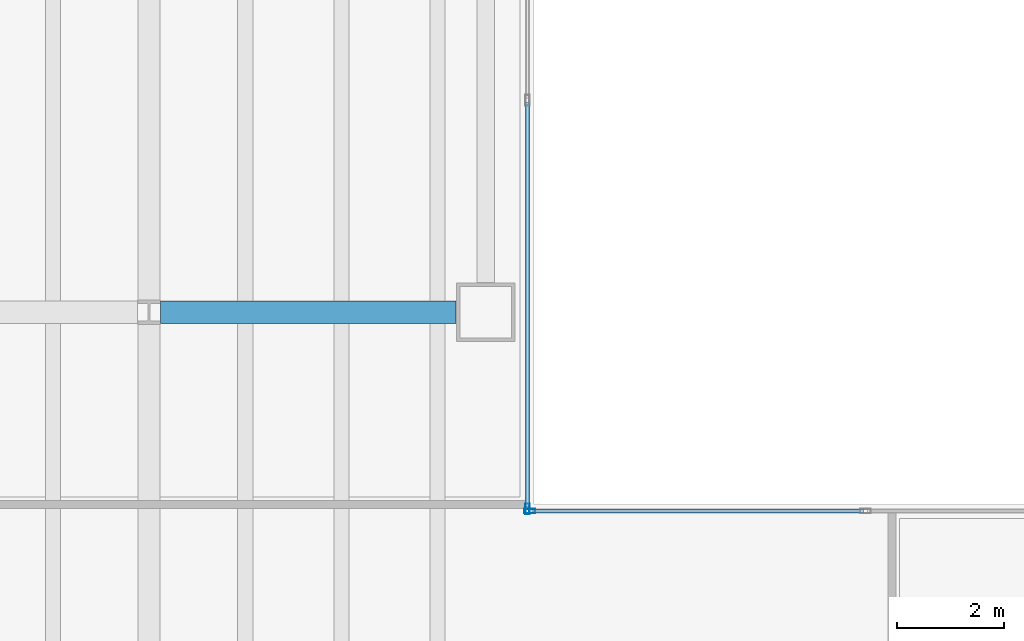
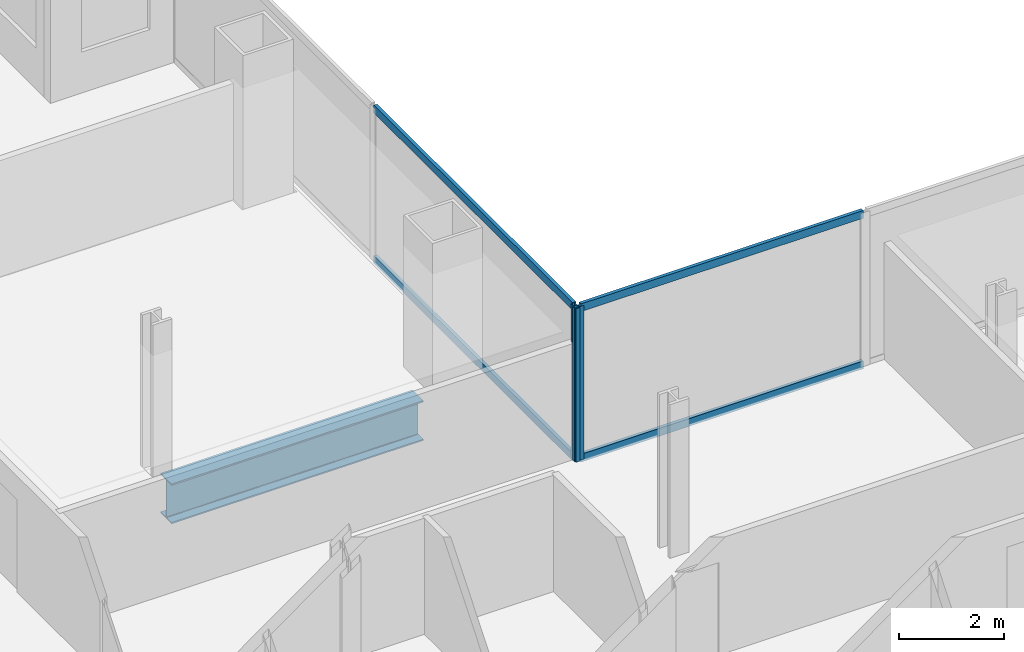
# One storey, part 6 of 25: 6 members, 1 beam, 2 elements without a shape of their own.
"""IFC4 building model written with IfcOpenShell, lengths in metres."""

from ifc_helpers import new_model, si_unit, direction, frame, origin, origin_2d, place, context, subcontext, project, spatial, hollow_rectangle, i_section, extrude, material, material_profile, profile_set, type_object, element, aggregate, save


model = new_model("IFC4")

# Units and contexts
model_context = context("Model", 3, precision=1e-05, world=origin(), true_north=direction((0.0, 1.0)))
body_context = subcontext(model_context, "Body", "Model", "MODEL_VIEW")
ifc_project = project(units=[si_unit("LENGTHUNIT", "METRE"), si_unit("AREAUNIT", "SQUARE_METRE"), si_unit("VOLUMEUNIT", "CUBIC_METRE"), si_unit("PLANEANGLEUNIT", "RADIAN"), si_unit("MASSUNIT", "GRAM", prefix="KILO")], contexts=[model_context])

# Site, building, storey
site_placement = place(None, origin())
site = spatial("IfcSite", under=ifc_project, at=site_placement, CompositionType="ELEMENT")
building_placement = place(site_placement, origin())
building = spatial("IfcBuilding", under=site, at=building_placement, Name="Cobrela Telecom Tower", CompositionType="ELEMENT")
storey_placement = place(building_placement, frame((0.0, 0.0, 42.699951171875)))
storey = spatial("IfcBuildingStorey", under=building, at=storey_placement, Name="L10", CompositionType="ELEMENT", Elevation=42.699951171875)

# Beam
ifc_material_1 = material(Name="Steel ASTM A992 Grade 50", Category="steel")
ifc_material_profile_1 = material_profile(ifc_material_1, i_section(OverallWidth=0.4189453125, OverallDepth=0.927001953125, WebThickness=0.019287109375, FlangeThickness=0.031982421875, FilletRadius=0.02392578125, at=origin_2d()), Name="W36X231")
ifc_profile_set_1 = profile_set([ifc_material_profile_1], Name="Steel ASTM A992 Grade 50")
beam_type = type_object("IfcBeamType", Name="BM-GIRD-02", PredefinedType="USERDEFINED", material=ifc_profile_set_1)
beam_placement = place(storey_placement, frame((21.81591796875, 28.800048828125, -0.743408203125), z_axis=(1.0, 0.0, 0.0), x_axis=(0.0, 1.0, 0.0)))
element("IfcBeam", 1, at=beam_placement, inside=storey, type_object=beam_type, Name="L10 Primary Girder X24", ObjectType="GIRDER", PredefinedType="USERDEFINED", context=body_context, shape_type="SweptSolid", body=[
    extrude(i_section(OverallWidth=0.4189453125, OverallDepth=0.927001953125, WebThickness=0.019287109375, FlangeThickness=0.031982421875, FilletRadius=0.02392578125, at=origin_2d()), origin(), (0.0, 0.0, 1.0), 5.529052734375),
])

# Curtain wall, member
ifc_material_2 = material(Name="Anodized Bronze Aluminium 6063-T6", Category="aluminium")
curtain_wall_type = type_object("IfcCurtainWallType", Name="CW-SYS-DATA", PredefinedType="USERDEFINED", material=ifc_material_2)
curtain_wall_1_placement = place(storey_placement, origin())
curtain_wall_1 = element("IfcCurtainWall", 2, at=curtain_wall_1_placement, inside=storey, type_object=curtain_wall_type, Name="L10 Unitised Bronze Curtain Wall 10", ObjectType="UNITISED CURTAIN WALL", PredefinedType="USERDEFINED")
ifc_material_profile_2 = material_profile(ifc_material_2, hollow_rectangle(XDim=0.080078125, YDim=0.199951171875, WallThickness=0.00390625, at=origin_2d()), Name="ALU 80x200x4")
ifc_profile_set_2 = profile_set([ifc_material_profile_2], Name="Anodized Bronze Aluminium 6063-T6")
member_type_1 = type_object("IfcMemberType", Name="CW-SYS-DATA-MUL", PredefinedType="MULLION", material=ifc_profile_set_2)
member_1_placement = place(storey_placement, frame((28.679931640625, 25.1201171875, 0.0), z_axis=(0.0, 0.0, 1.0), x_axis=(1.0, 0.0, 0.0)))
member_1 = element("IfcMember", 3, at=member_1_placement, type_object=member_type_1, Name="CW-DATA mullion 3", PredefinedType="MULLION", context=body_context, shape_type="SweptSolid", body=[
    extrude(hollow_rectangle(XDim=0.080078125, YDim=0.199951171875, WallThickness=0.00390625, at=origin_2d()), origin(), (0.0, 0.0, 1.0), 3.570068359375),
])

curtain_wall_2_placement = place(storey_placement, origin())
curtain_wall_2 = element("IfcCurtainWall", 4, at=curtain_wall_2_placement, inside=storey, type_object=curtain_wall_type, Name="L10 Unitised Bronze Curtain Wall 11", ObjectType="UNITISED CURTAIN WALL", PredefinedType="USERDEFINED")
member_2_placement = place(storey_placement, frame((28.719970703125, 25.080078125, 0.0), z_axis=(0.0, 0.0, 1.0), x_axis=(0.0, 1.0, 0.0)))
member_2 = element("IfcMember", 5, at=member_2_placement, type_object=member_type_1, Name="CW-DATA mullion 1", PredefinedType="MULLION", context=body_context, shape_type="SweptSolid", body=[
    extrude(hollow_rectangle(XDim=0.080078125, YDim=0.199951171875, WallThickness=0.00390625, at=origin_2d()), origin(), (0.0, 0.0, 1.0), 3.570068359375),
])

# Member
ifc_material_profile_3 = material_profile(ifc_material_2, hollow_rectangle(XDim=0.074951171875, YDim=0.179931640625, WallThickness=0.00390625, at=origin_2d()), Name="ALU 75x180x4")
ifc_profile_set_3 = profile_set([ifc_material_profile_3], Name="Anodized Bronze Aluminium 6063-T6")
member_type_2 = type_object("IfcMemberType", Name="CW-SYS-DATA-TRN", PredefinedType="USERDEFINED", material=ifc_profile_set_3)
member_3_placement = place(storey_placement, frame((28.679931640625, 32.72509765625, 0.03759765625), z_axis=(0.0, -1.0, 0.0), x_axis=(1.0, 0.0, 0.0)))
member_3 = element("IfcMember", 6, at=member_3_placement, type_object=member_type_2, Name="CW-DATA transom 2.1", ObjectType="TRANSOM", PredefinedType="USERDEFINED", context=body_context, shape_type="SweptSolid", body=[
    extrude(hollow_rectangle(XDim=0.074951171875, YDim=0.179931640625, WallThickness=0.00390625, at=origin_2d()), origin(), (0.0, 0.0, 1.0), 7.565185546875),
])

member_4_placement = place(storey_placement, frame((28.679931640625, 32.72509765625, 3.532470703125), z_axis=(0.0, -1.0, 0.0), x_axis=(1.0, 0.0, 0.0)))
member_4 = element("IfcMember", 7, at=member_4_placement, type_object=member_type_2, Name="CW-DATA transom 2.2", ObjectType="TRANSOM", PredefinedType="USERDEFINED", context=body_context, shape_type="SweptSolid", body=[
    extrude(hollow_rectangle(XDim=0.074951171875, YDim=0.179931640625, WallThickness=0.00390625, at=origin_2d()), origin(), (0.0, 0.0, 1.0), 7.565185546875),
])

aggregate(curtain_wall_1, [member_1, member_3, member_4])

member_5_placement = place(storey_placement, frame((28.760009765625, 25.080078125, 0.03759765625), z_axis=(1.0, 0.0, 0.0), x_axis=(0.0, 1.0, 0.0)))
member_5 = element("IfcMember", 8, at=member_5_placement, type_object=member_type_2, Name="CW-DATA transom 1.1", ObjectType="TRANSOM", PredefinedType="USERDEFINED", context=body_context, shape_type="SweptSolid", body=[
    extrude(hollow_rectangle(XDim=0.074951171875, YDim=0.179931640625, WallThickness=0.00390625, at=origin_2d()), origin(), (0.0, 0.0, 1.0), 6.203369140625),
])

member_6_placement = place(storey_placement, frame((28.760009765625, 25.080078125, 3.532470703125), z_axis=(1.0, 0.0, 0.0), x_axis=(0.0, 1.0, 0.0)))
member_6 = element("IfcMember", 9, at=member_6_placement, type_object=member_type_2, Name="CW-DATA transom 1.2", ObjectType="TRANSOM", PredefinedType="USERDEFINED", context=body_context, shape_type="SweptSolid", body=[
    extrude(hollow_rectangle(XDim=0.074951171875, YDim=0.179931640625, WallThickness=0.00390625, at=origin_2d()), origin(), (0.0, 0.0, 1.0), 6.203369140625),
])

aggregate(curtain_wall_2, [member_2, member_5, member_6])

save(model, "model.ifc")
